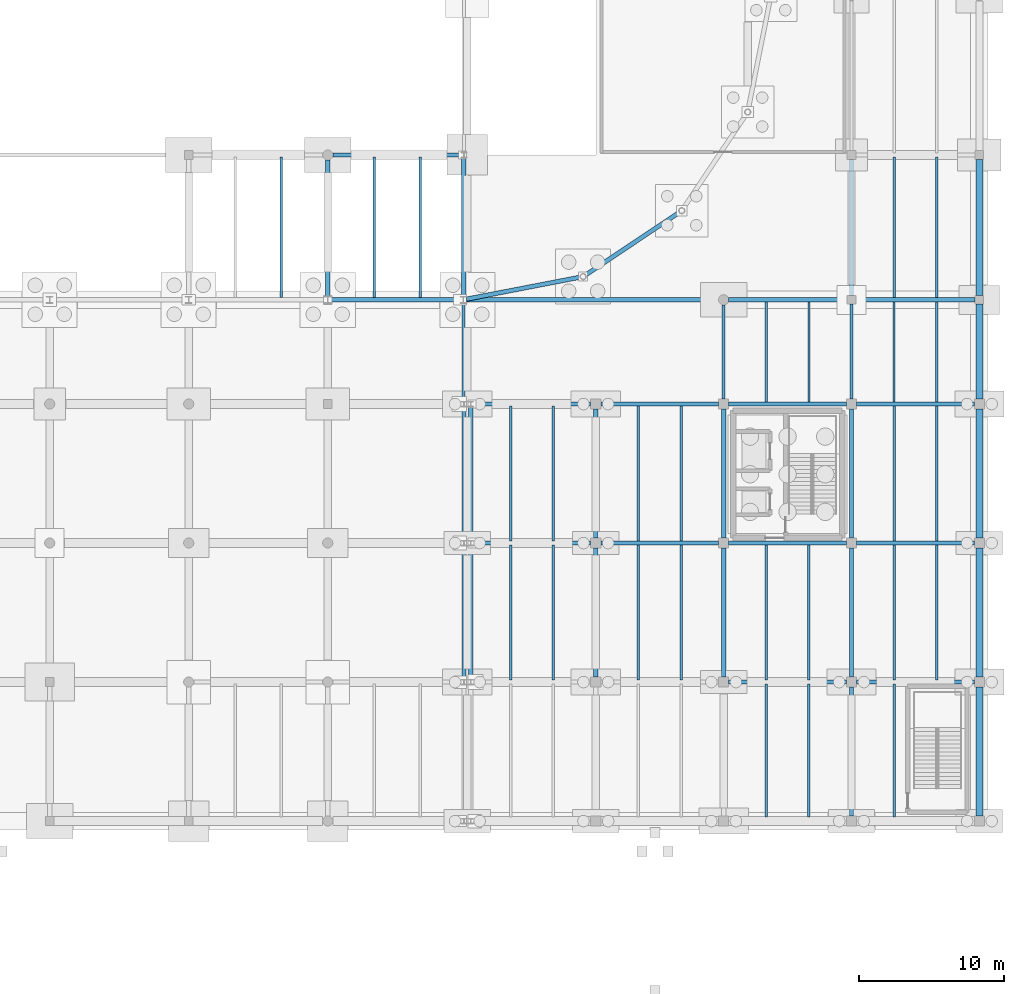
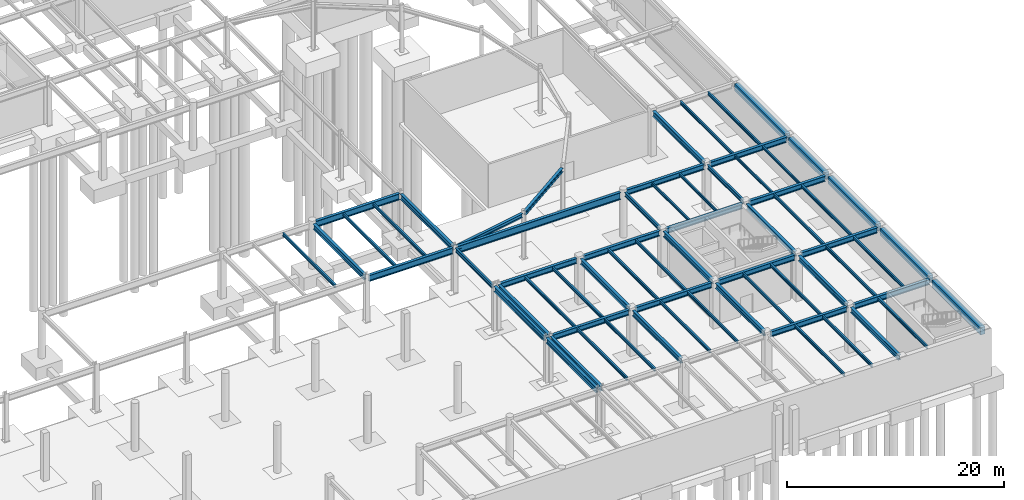
# One storey, part 35 of 50: 65 beams.
"""IFC4 building model written with IfcOpenShell, lengths in metres."""

from ifc_helpers import new_model, si_unit, direction, frame, origin, origin_2d, place, context, subcontext, project, spatial, rectangle, i_section, extrude, material, material_profile, profile_set, type_object, element, save


model = new_model("IFC4")

# Units and contexts
model_context = context("Model", 3, precision=1e-05, world=origin(), true_north=direction((0.0, 1.0)))
body_context = subcontext(model_context, "Body", "Model", "MODEL_VIEW")
ifc_project = project(units=[si_unit("LENGTHUNIT", "METRE"), si_unit("AREAUNIT", "SQUARE_METRE"), si_unit("VOLUMEUNIT", "CUBIC_METRE"), si_unit("PLANEANGLEUNIT", "RADIAN"), si_unit("MASSUNIT", "GRAM", prefix="KILO")], contexts=[model_context])

# Site, building, storey
site_placement = place(None, origin())
site = spatial("IfcSite", under=ifc_project, at=site_placement, CompositionType="ELEMENT")
building_placement = place(site_placement, origin())
building = spatial("IfcBuilding", under=site, at=building_placement, Name="Yeouljin Market Hall", CompositionType="ELEMENT")
storey_placement = place(building_placement, frame((0.0, 0.0, -5.39990234375)))
storey = spatial("IfcBuildingStorey", under=building, at=storey_placement, Name="B1", CompositionType="ELEMENT", Elevation=-5.39990234375)

# Beams
ifc_material_1 = material(Name="Steel SM355", Category="steel")
ifc_material_profile_1 = material_profile(ifc_material_1, i_section(OverallWidth=0.300048828125, OverallDepth=0.43994140625, WebThickness=0.010986328125, FlangeThickness=0.01806640625, FilletRadius=0.02001953125, at=origin_2d()), Name="H-440x300x11x18")
ifc_profile_set_1 = profile_set([ifc_material_profile_1], Name="Steel SM355")
beam_type_1 = type_object("IfcBeamType", Name="Beam_H-440x300x11x18", PredefinedType="BEAM", material=ifc_profile_set_1)
beam_1_placement = place(storey_placement, frame((140.98095703125, 36.042724609375, 4.8798828125), z_axis=(0.981853779067, 0.189639543691, 0.0), x_axis=(-0.189639543691, 0.981853779067, 0.0)))
element("IfcBeam", 1, at=beam_1_placement, inside=storey, type_object=beam_type_1, Name="Apse ring beam L00 276", PredefinedType="BEAM", context=body_context, shape_type="SweptSolid", body=[
    extrude(i_section(OverallWidth=0.300048828125, OverallDepth=0.43994140625, WebThickness=0.010986328125, FlangeThickness=0.01806640625, FilletRadius=0.02001953125, at=origin_2d()), origin(), (0.0, 0.0, 1.0), 8.001220703125),
])
beam_2_placement = place(storey_placement, frame((149.205322265625, 37.71142578125, 4.8798828125), z_axis=(0.831466218431, 0.555575312274, 0.0), x_axis=(-0.555575312274, 0.831466218431, 0.0)))
element("IfcBeam", 2, at=beam_2_placement, inside=storey, type_object=beam_type_1, Name="Apse ring beam L00 277", PredefinedType="BEAM", context=body_context, shape_type="SweptSolid", body=[
    extrude(i_section(OverallWidth=0.300048828125, OverallDepth=0.43994140625, WebThickness=0.010986328125, FlangeThickness=0.01806640625, FilletRadius=0.02001953125, at=origin_2d()), origin(), (0.0, 0.0, 1.0), 7.787353515625),
])
ifc_material_2 = material(Name="Steel SM355", Category="steel")
ifc_material_profile_2 = material_profile(ifc_material_2, i_section(OverallWidth=0.199951171875, OverallDepth=0.449951171875, WebThickness=0.009033203125, FlangeThickness=0.013916015625, FilletRadius=0.01806640625, at=origin_2d()), Name="H-450x200x9x14")
ifc_profile_set_2 = profile_set([ifc_material_profile_2], Name="Steel SM355")
beam_type_2 = type_object("IfcBeamType", Name="Beam_H-450x200x9x14", PredefinedType="BEAM", material=ifc_profile_set_2)
beam_3_placement = place(storey_placement, frame((140.784912109375, 28.97509765625, 4.875), z_axis=(0.0, 1.0, 0.0), x_axis=(-1.0, 0.0, 0.0)))
element("IfcBeam", 3, at=beam_3_placement, inside=storey, type_object=beam_type_2, Name="Primary beam BM-L00-Y233", PredefinedType="BEAM", context=body_context, shape_type="SweptSolid", body=[
    extrude(i_section(OverallWidth=0.199951171875, OverallDepth=0.449951171875, WebThickness=0.009033203125, FlangeThickness=0.013916015625, FilletRadius=0.01806640625, at=origin_2d()), origin(), (0.0, 0.0, 1.0), 6.7998046875),
])
beam_4_placement = place(storey_placement, frame((158.739990234375, 29.14990234375, 4.9248046875), z_axis=(0.0, 1.0, 0.0), x_axis=(-1.0, 0.0, 0.0)))
element("IfcBeam", 4, at=beam_4_placement, inside=storey, type_object=beam_type_2, Name="Primary beam BM-L00-Y248", PredefinedType="BEAM", context=body_context, shape_type="SweptSolid", body=[
    extrude(i_section(OverallWidth=0.199951171875, OverallDepth=0.449951171875, WebThickness=0.009033203125, FlangeThickness=0.013916015625, FilletRadius=0.01806640625, at=origin_2d()), origin(), (0.0, 0.0, 1.0), 6.5),
])
beam_5_placement = place(storey_placement, frame((167.570068359375, 29.14990234375, 4.914794921875), z_axis=(0.0, 1.0, 0.0), x_axis=(-1.0, 0.0, 0.0)))
element("IfcBeam", 5, at=beam_5_placement, inside=storey, type_object=beam_type_2, Name="Primary beam BM-L00-Y253", PredefinedType="BEAM", context=body_context, shape_type="SweptSolid", body=[
    extrude(i_section(OverallWidth=0.199951171875, OverallDepth=0.449951171875, WebThickness=0.009033203125, FlangeThickness=0.013916015625, FilletRadius=0.01806640625, at=origin_2d()), origin(), (0.0, 0.0, 1.0), 6.550048828125),
])
ifc_material_3 = material(Name="Concrete C30/37", Category="concrete")
ifc_material_profile_3 = material_profile(ifc_material_3, rectangle(XDim=0.5, YDim=0.800048828125, at=origin_2d()), Name="RC-500x800")
ifc_profile_set_3 = profile_set([ifc_material_profile_3], Name="Concrete C30/37")
beam_type_3 = type_object("IfcBeamType", Name="Beam_RC-500x800", PredefinedType="BEAM", material=ifc_profile_set_3)
beam_6_placement = place(storey_placement, frame((176.39990234375, 0.35009765625, 4.75), z_axis=(0.0, 1.0, 0.0), x_axis=(-1.0, 0.0, 0.0)))
element("IfcBeam", 6, at=beam_6_placement, inside=storey, type_object=beam_type_3, Name="Primary beam BM-L00-Y259", PredefinedType="BEAM", context=body_context, shape_type="SweptSolid", body=[
    extrude(rectangle(XDim=0.5, YDim=0.800048828125, at=origin_2d()), origin(), (0.0, 0.0, 1.0), 8.89990234375),
])
beam_7_placement = place(storey_placement, frame((176.39990234375, 9.949951171875, 4.75), z_axis=(0.0, 1.0, 0.0), x_axis=(-1.0, 0.0, 0.0)))
element("IfcBeam", 7, at=beam_7_placement, inside=storey, type_object=beam_type_3, Name="Primary beam BM-L00-Y260", PredefinedType="BEAM", context=body_context, shape_type="SweptSolid", body=[
    extrude(rectangle(XDim=0.5, YDim=0.800048828125, at=origin_2d()), origin(), (0.0, 0.0, 1.0), 8.900146484375),
])
beam_8_placement = place(storey_placement, frame((176.39990234375, 19.550048828125, 4.75), z_axis=(0.0, 1.0, 0.0), x_axis=(-1.0, 0.0, 0.0)))
element("IfcBeam", 8, at=beam_8_placement, inside=storey, type_object=beam_type_3, Name="Primary beam BM-L00-Y261", PredefinedType="BEAM", context=body_context, shape_type="SweptSolid", body=[
    extrude(rectangle(XDim=0.5, YDim=0.800048828125, at=origin_2d()), origin(), (0.0, 0.0, 1.0), 8.89990234375),
])
beam_9_placement = place(storey_placement, frame((176.39990234375, 29.14990234375, 4.739990234375), z_axis=(0.0, 1.0, 0.0), x_axis=(-1.0, 0.0, 0.0)))
element("IfcBeam", 9, at=beam_9_placement, inside=storey, type_object=beam_type_3, Name="Primary beam BM-L00-Y262", PredefinedType="BEAM", context=body_context, shape_type="SweptSolid", body=[
    extrude(rectangle(XDim=0.5, YDim=0.800048828125, at=origin_2d()), origin(), (0.0, 0.0, 1.0), 6.550048828125),
])
beam_10_placement = place(storey_placement, frame((176.39990234375, 36.300048828125, 4.75), z_axis=(0.0, 1.0, 0.0), x_axis=(-1.0, 0.0, 0.0)))
element("IfcBeam", 10, at=beam_10_placement, inside=storey, type_object=beam_type_3, Name="Primary beam BM-L00-Y263", PredefinedType="BEAM", context=body_context, shape_type="SweptSolid", body=[
    extrude(rectangle(XDim=0.5, YDim=0.800048828125, at=origin_2d()), origin(), (0.0, 0.0, 1.0), 9.39990234375),
])
ifc_material_4 = material(Name="Steel SM355", Category="steel")
ifc_material_profile_4 = material_profile(ifc_material_4, i_section(OverallWidth=0.300048828125, OverallDepth=0.587890625, WebThickness=0.011962890625, FlangeThickness=0.02001953125, FilletRadius=0.02392578125, at=origin_2d()), Name="H-588x300x12x20")
ifc_profile_set_4 = profile_set([ifc_material_profile_4], Name="Steel SM355")
beam_type_4 = type_object("IfcBeamType", Name="Girder_H-588x300x12x20", PredefinedType="USERDEFINED", material=ifc_profile_set_4)
beam_11_placement = place(storey_placement, frame((159.090087890625, 9.60009765625, 4.85595703125), z_axis=(1.0, 0.0, 0.0), x_axis=(0.0, 1.0, 0.0)))
element("IfcBeam", 11, at=beam_11_placement, inside=storey, type_object=beam_type_4, Name="Primary girder GRD-L00-X025", ObjectType="GIRDER", PredefinedType="USERDEFINED", context=body_context, shape_type="SweptSolid", body=[
    extrude(i_section(OverallWidth=0.300048828125, OverallDepth=0.587890625, WebThickness=0.011962890625, FlangeThickness=0.02001953125, FilletRadius=0.02392578125, at=origin_2d()), origin(), (0.0, 0.0, 1.0), 8.1298828125),
])
beam_12_placement = place(storey_placement, frame((167.919921875, 9.60009765625, 4.85595703125), z_axis=(1.0, 0.0, 0.0), x_axis=(0.0, 1.0, 0.0)))
element("IfcBeam", 12, at=beam_12_placement, inside=storey, type_object=beam_type_4, Name="Primary girder GRD-L00-X026", ObjectType="GIRDER", PredefinedType="USERDEFINED", context=body_context, shape_type="SweptSolid", body=[
    extrude(i_section(OverallWidth=0.300048828125, OverallDepth=0.587890625, WebThickness=0.011962890625, FlangeThickness=0.02001953125, FilletRadius=0.02392578125, at=origin_2d()), origin(), (0.0, 0.0, 1.0), 8.130126953125),
])
beam_13_placement = place(storey_placement, frame((141.445068359375, 19.199951171875, 4.85595703125), z_axis=(1.0, 0.0, 0.0), x_axis=(0.0, 1.0, 0.0)))
element("IfcBeam", 13, at=beam_13_placement, inside=storey, type_object=beam_type_4, Name="Primary girder GRD-L00-X031", ObjectType="GIRDER", PredefinedType="USERDEFINED", context=body_context, shape_type="SweptSolid", body=[
    extrude(i_section(OverallWidth=0.300048828125, OverallDepth=0.587890625, WebThickness=0.011962890625, FlangeThickness=0.02001953125, FilletRadius=0.02392578125, at=origin_2d()), origin(), (0.0, 0.0, 1.0), 8.114990234375),
])
for number, where, z_axis, x_axis, name in (
    (14, (150.260009765625, 19.199951171875, 4.85595703125), (1.0, 0.0, 0.0), (0.0, 1.0, 0.0), "Primary girder GRD-L00-X032"),
    (15, (159.090087890625, 19.199951171875, 4.85595703125), (1.0, 0.0, 0.0), (0.0, 1.0, 0.0), "Primary girder GRD-L00-X033"),
):
    element("IfcBeam", number, at=place(storey_placement, frame(where, z_axis=z_axis, x_axis=x_axis)), inside=storey, type_object=beam_type_4, Name=name, ObjectType="GIRDER", PredefinedType="USERDEFINED", context=body_context, shape_type="SweptSolid", body=[
        extrude(i_section(OverallWidth=0.300048828125, OverallDepth=0.587890625, WebThickness=0.011962890625, FlangeThickness=0.02001953125, FilletRadius=0.02392578125, at=origin_2d()), origin(), (0.0, 0.0, 1.0), 8.1298828125),
    ])
beam_14_placement = place(storey_placement, frame((167.919921875, 19.199951171875, 4.85595703125), z_axis=(1.0, 0.0, 0.0), x_axis=(0.0, 1.0, 0.0)))
element("IfcBeam", 16, at=beam_14_placement, inside=storey, type_object=beam_type_4, Name="Primary girder GRD-L00-X034", ObjectType="GIRDER", PredefinedType="USERDEFINED", context=body_context, shape_type="SweptSolid", body=[
    extrude(i_section(OverallWidth=0.300048828125, OverallDepth=0.587890625, WebThickness=0.011962890625, FlangeThickness=0.02001953125, FilletRadius=0.02392578125, at=origin_2d()), origin(), (0.0, 0.0, 1.0), 8.130126953125),
])
beam_15_placement = place(storey_placement, frame((141.445068359375, 28.800048828125, 4.85595703125), z_axis=(1.0, 0.0, 0.0), x_axis=(0.0, 1.0, 0.0)))
element("IfcBeam", 17, at=beam_15_placement, inside=storey, type_object=beam_type_4, Name="Primary girder GRD-L00-X039", ObjectType="GIRDER", PredefinedType="USERDEFINED", context=body_context, shape_type="SweptSolid", body=[
    extrude(i_section(OverallWidth=0.300048828125, OverallDepth=0.587890625, WebThickness=0.011962890625, FlangeThickness=0.02001953125, FilletRadius=0.02392578125, at=origin_2d()), origin(), (0.0, 0.0, 1.0), 8.114990234375),
])
for number, where, z_axis, x_axis, name in (
    (18, (150.260009765625, 28.800048828125, 4.85595703125), (1.0, 0.0, 0.0), (0.0, 1.0, 0.0), "Primary girder GRD-L00-X040"),
    (19, (159.090087890625, 28.800048828125, 4.845947265625), (1.0, 0.0, 0.0), (0.0, 1.0, 0.0), "Primary girder GRD-L00-X041"),
):
    element("IfcBeam", number, at=place(storey_placement, frame(where, z_axis=z_axis, x_axis=x_axis)), inside=storey, type_object=beam_type_4, Name=name, ObjectType="GIRDER", PredefinedType="USERDEFINED", context=body_context, shape_type="SweptSolid", body=[
        extrude(i_section(OverallWidth=0.300048828125, OverallDepth=0.587890625, WebThickness=0.011962890625, FlangeThickness=0.02001953125, FilletRadius=0.02392578125, at=origin_2d()), origin(), (0.0, 0.0, 1.0), 8.1298828125),
    ])
beam_16_placement = place(storey_placement, frame((167.919921875, 28.800048828125, 4.845947265625), z_axis=(1.0, 0.0, 0.0), x_axis=(0.0, 1.0, 0.0)))
element("IfcBeam", 20, at=beam_16_placement, inside=storey, type_object=beam_type_4, Name="Primary girder GRD-L00-X042", ObjectType="GIRDER", PredefinedType="USERDEFINED", context=body_context, shape_type="SweptSolid", body=[
    extrude(i_section(OverallWidth=0.300048828125, OverallDepth=0.587890625, WebThickness=0.011962890625, FlangeThickness=0.02001953125, FilletRadius=0.02392578125, at=origin_2d()), origin(), (0.0, 0.0, 1.0), 8.130126953125),
])
beam_17_placement = place(storey_placement, frame((159.090087890625, 36.0, 4.845947265625), z_axis=(1.0, 0.0, 0.0), x_axis=(0.0, 1.0, 0.0)))
element("IfcBeam", 21, at=beam_17_placement, inside=storey, type_object=beam_type_4, Name="Primary girder GRD-L00-X058", ObjectType="GIRDER", PredefinedType="USERDEFINED", context=body_context, shape_type="SweptSolid", body=[
    extrude(i_section(OverallWidth=0.300048828125, OverallDepth=0.587890625, WebThickness=0.011962890625, FlangeThickness=0.02001953125, FilletRadius=0.02392578125, at=origin_2d()), origin(), (0.0, 0.0, 1.0), 8.179931640625),
])
beam_18_placement = place(storey_placement, frame((167.8701171875, 36.0, 4.845947265625), z_axis=(1.0, 0.0, 0.0), x_axis=(0.0, 1.0, 0.0)))
element("IfcBeam", 22, at=beam_18_placement, inside=storey, type_object=beam_type_4, Name="Primary girder GRD-L00-X059", ObjectType="GIRDER", PredefinedType="USERDEFINED", context=body_context, shape_type="SweptSolid", body=[
    extrude(i_section(OverallWidth=0.300048828125, OverallDepth=0.587890625, WebThickness=0.011962890625, FlangeThickness=0.02001953125, FilletRadius=0.02392578125, at=origin_2d()), origin(), (0.0, 0.0, 1.0), 8.22998046875),
])
beam_19_placement = place(storey_placement, frame((131.39990234375, 36.22509765625, 4.825927734375), z_axis=(0.0, 1.0, 0.0), x_axis=(-1.0, 0.0, 0.0)))
element("IfcBeam", 23, at=beam_19_placement, inside=storey, type_object=beam_type_4, Name="Primary beam BM-L00-Y224", ObjectType="GIRDER", PredefinedType="USERDEFINED", context=body_context, shape_type="SweptSolid", body=[
    extrude(i_section(OverallWidth=0.300048828125, OverallDepth=0.587890625, WebThickness=0.011962890625, FlangeThickness=0.02001953125, FilletRadius=0.02392578125, at=origin_2d()), origin(), (0.0, 0.0, 1.0), 9.4248046875),
])
for number, where, z_axis, x_axis, name in (
    (24, (140.81005859375, 9.77490234375, 4.85595703125), (0.0, 1.0, 0.0), (-1.0, 0.0, 0.0), "Primary beam BM-L00-Y231"),
    (25, (140.81005859375, 19.375, 4.85595703125), (0.0, 1.0, 0.0), (-1.0, 0.0, 0.0), "Primary beam BM-L00-Y232"),
):
    element("IfcBeam", number, at=place(storey_placement, frame(where, z_axis=z_axis, x_axis=x_axis)), inside=storey, type_object=beam_type_4, Name=name, ObjectType="GIRDER", PredefinedType="USERDEFINED", context=body_context, shape_type="SweptSolid", body=[
        extrude(i_section(OverallWidth=0.300048828125, OverallDepth=0.587890625, WebThickness=0.011962890625, FlangeThickness=0.02001953125, FilletRadius=0.02392578125, at=origin_2d()), origin(), (0.0, 0.0, 1.0), 9.25),
    ])
beam_20_placement = place(storey_placement, frame((140.784912109375, 36.22509765625, 4.805908203125), z_axis=(0.0, 1.0, 0.0), x_axis=(-1.0, 0.0, 0.0)))
element("IfcBeam", 26, at=beam_20_placement, inside=storey, type_object=beam_type_4, Name="Primary beam BM-L00-Y234", ObjectType="GIRDER", PredefinedType="USERDEFINED", context=body_context, shape_type="SweptSolid", body=[
    extrude(i_section(OverallWidth=0.300048828125, OverallDepth=0.587890625, WebThickness=0.011962890625, FlangeThickness=0.02001953125, FilletRadius=0.02392578125, at=origin_2d()), origin(), (0.0, 0.0, 1.0), 9.599853515625),
])
for number, where, z_axis, x_axis, name in (
    (27, (141.27001953125, 9.77490234375, 4.85595703125), (0.0, 1.0, 0.0), (-1.0, 0.0, 0.0), "Primary beam BM-L00-Y240"),
    (28, (141.27001953125, 19.375, 4.85595703125), (0.0, 1.0, 0.0), (-1.0, 0.0, 0.0), "Primary beam BM-L00-Y241"),
):
    element("IfcBeam", number, at=place(storey_placement, frame(where, z_axis=z_axis, x_axis=x_axis)), inside=storey, type_object=beam_type_4, Name=name, ObjectType="GIRDER", PredefinedType="USERDEFINED", context=body_context, shape_type="SweptSolid", body=[
        extrude(i_section(OverallWidth=0.300048828125, OverallDepth=0.587890625, WebThickness=0.011962890625, FlangeThickness=0.02001953125, FilletRadius=0.02392578125, at=origin_2d()), origin(), (0.0, 0.0, 1.0), 9.25),
    ])
beam_21_placement = place(storey_placement, frame((149.909912109375, 9.949951171875, 4.85595703125), z_axis=(0.0, 1.0, 0.0), x_axis=(-1.0, 0.0, 0.0)))
element("IfcBeam", 29, at=beam_21_placement, inside=storey, type_object=beam_type_4, Name="Primary beam BM-L00-Y243", ObjectType="GIRDER", PredefinedType="USERDEFINED", context=body_context, shape_type="SweptSolid", body=[
    extrude(i_section(OverallWidth=0.300048828125, OverallDepth=0.587890625, WebThickness=0.011962890625, FlangeThickness=0.02001953125, FilletRadius=0.02392578125, at=origin_2d()), origin(), (0.0, 0.0, 1.0), 8.900146484375),
])
beam_22_placement = place(storey_placement, frame((149.909912109375, 19.550048828125, 4.85595703125), z_axis=(0.0, 1.0, 0.0), x_axis=(-1.0, 0.0, 0.0)))
element("IfcBeam", 30, at=beam_22_placement, inside=storey, type_object=beam_type_4, Name="Primary beam BM-L00-Y244", ObjectType="GIRDER", PredefinedType="USERDEFINED", context=body_context, shape_type="SweptSolid", body=[
    extrude(i_section(OverallWidth=0.300048828125, OverallDepth=0.587890625, WebThickness=0.011962890625, FlangeThickness=0.02001953125, FilletRadius=0.02392578125, at=origin_2d()), origin(), (0.0, 0.0, 1.0), 8.89990234375),
])
beam_23_placement = place(storey_placement, frame((158.739990234375, 9.949951171875, 4.85595703125), z_axis=(0.0, 1.0, 0.0), x_axis=(-1.0, 0.0, 0.0)))
element("IfcBeam", 31, at=beam_23_placement, inside=storey, type_object=beam_type_4, Name="Primary beam BM-L00-Y246", ObjectType="GIRDER", PredefinedType="USERDEFINED", context=body_context, shape_type="SweptSolid", body=[
    extrude(i_section(OverallWidth=0.300048828125, OverallDepth=0.587890625, WebThickness=0.011962890625, FlangeThickness=0.02001953125, FilletRadius=0.02392578125, at=origin_2d()), origin(), (0.0, 0.0, 1.0), 8.900146484375),
])
for number, where, z_axis, x_axis, name in (
    (32, (158.739990234375, 19.550048828125, 4.85595703125), (0.0, 1.0, 0.0), (-1.0, 0.0, 0.0), "Primary beam BM-L00-Y247"),
    (33, (167.570068359375, 0.35009765625, 4.85595703125), (0.0, 1.0, 0.0), (-1.0, 0.0, 0.0), "Primary beam BM-L00-Y250"),
):
    element("IfcBeam", number, at=place(storey_placement, frame(where, z_axis=z_axis, x_axis=x_axis)), inside=storey, type_object=beam_type_4, Name=name, ObjectType="GIRDER", PredefinedType="USERDEFINED", context=body_context, shape_type="SweptSolid", body=[
        extrude(i_section(OverallWidth=0.300048828125, OverallDepth=0.587890625, WebThickness=0.011962890625, FlangeThickness=0.02001953125, FilletRadius=0.02392578125, at=origin_2d()), origin(), (0.0, 0.0, 1.0), 8.89990234375),
    ])
beam_24_placement = place(storey_placement, frame((167.570068359375, 9.949951171875, 4.85595703125), z_axis=(0.0, 1.0, 0.0), x_axis=(-1.0, 0.0, 0.0)))
element("IfcBeam", 34, at=beam_24_placement, inside=storey, type_object=beam_type_4, Name="Primary beam BM-L00-Y251", ObjectType="GIRDER", PredefinedType="USERDEFINED", context=body_context, shape_type="SweptSolid", body=[
    extrude(i_section(OverallWidth=0.300048828125, OverallDepth=0.587890625, WebThickness=0.011962890625, FlangeThickness=0.02001953125, FilletRadius=0.02392578125, at=origin_2d()), origin(), (0.0, 0.0, 1.0), 8.900146484375),
])
beam_25_placement = place(storey_placement, frame((167.570068359375, 19.550048828125, 4.85595703125), z_axis=(0.0, 1.0, 0.0), x_axis=(-1.0, 0.0, 0.0)))
element("IfcBeam", 35, at=beam_25_placement, inside=storey, type_object=beam_type_4, Name="Primary beam BM-L00-Y252", ObjectType="GIRDER", PredefinedType="USERDEFINED", context=body_context, shape_type="SweptSolid", body=[
    extrude(i_section(OverallWidth=0.300048828125, OverallDepth=0.587890625, WebThickness=0.011962890625, FlangeThickness=0.02001953125, FilletRadius=0.02392578125, at=origin_2d()), origin(), (0.0, 0.0, 1.0), 8.89990234375),
])
beam_26_placement = place(storey_placement, frame((167.570068359375, 36.300048828125, 4.85595703125), z_axis=(0.0, 1.0, 0.0), x_axis=(-1.0, 0.0, 0.0)))
element("IfcBeam", 36, at=beam_26_placement, inside=storey, type_object=beam_type_4, Name="Primary beam BM-L00-Y254", ObjectType="GIRDER", PredefinedType="USERDEFINED", context=body_context, shape_type="SweptSolid", body=[
    extrude(i_section(OverallWidth=0.300048828125, OverallDepth=0.587890625, WebThickness=0.011962890625, FlangeThickness=0.02001953125, FilletRadius=0.02392578125, at=origin_2d()), origin(), (0.0, 0.0, 1.0), 9.39990234375),
])
ifc_material_5 = material(Name="Steel SM355", Category="steel")
ifc_material_profile_5 = material_profile(ifc_material_5, i_section(OverallWidth=0.300048828125, OverallDepth=0.699951171875, WebThickness=0.012939453125, FlangeThickness=0.02392578125, FilletRadius=0.02587890625, at=origin_2d()), Name="H-700x300x13x24")
ifc_profile_set_5 = profile_set([ifc_material_profile_5], Name="Steel SM355")
beam_type_5 = type_object("IfcBeamType", Name="Girder_H-700x300x13x24", PredefinedType="USERDEFINED", material=ifc_profile_set_5)
beam_27_placement = place(storey_placement, frame((131.625, 36.0, 4.77001953125), z_axis=(1.0, 0.0, 0.0), x_axis=(0.0, 1.0, 0.0)))
element("IfcBeam", 37, at=beam_27_placement, inside=storey, type_object=beam_type_5, Name="Primary girder GRD-L00-X056", ObjectType="GIRDER", PredefinedType="USERDEFINED", context=body_context, shape_type="SweptSolid", body=[
    extrude(i_section(OverallWidth=0.300048828125, OverallDepth=0.699951171875, WebThickness=0.012939453125, FlangeThickness=0.02392578125, FilletRadius=0.02587890625, at=origin_2d()), origin(), (0.0, 0.0, 1.0), 8.909912109375),
])
beam_28_placement = place(storey_placement, frame((131.75, 46.0, 4.77001953125), z_axis=(1.0, 0.0, 0.0), x_axis=(0.0, 1.0, 0.0)))
element("IfcBeam", 38, at=beam_28_placement, inside=storey, type_object=beam_type_5, Name="Primary girder GRD-L00-X065", ObjectType="GIRDER", PredefinedType="USERDEFINED", context=body_context, shape_type="SweptSolid", body=[
    extrude(i_section(OverallWidth=0.300048828125, OverallDepth=0.699951171875, WebThickness=0.012939453125, FlangeThickness=0.02392578125, FilletRadius=0.02587890625, at=origin_2d()), origin(), (0.0, 0.0, 1.0), 8.885009765625),
])
ifc_material_6 = material(Name="Steel SM355", Category="steel")
ifc_material_profile_6 = material_profile(ifc_material_6, i_section(OverallWidth=0.300048828125, OverallDepth=0.800048828125, WebThickness=0.013916015625, FlangeThickness=0.02587890625, FilletRadius=0.028076171875, at=origin_2d()), Name="H-800x300x14x26")
ifc_profile_set_6 = profile_set([ifc_material_profile_6], Name="Steel SM355")
beam_type_6 = type_object("IfcBeamType", Name="Girder_H-800x300x14x26", PredefinedType="USERDEFINED", material=ifc_profile_set_6)
beam_29_placement = place(storey_placement, frame((140.985107421875, 36.0, 4.699951171875), z_axis=(1.0, 0.0, 0.0), x_axis=(0.0, 1.0, 0.0)))
element("IfcBeam", 39, at=beam_29_placement, inside=storey, type_object=beam_type_6, Name="Primary girder GRD-L00-X057", ObjectType="GIRDER", PredefinedType="USERDEFINED", context=body_context, shape_type="SweptSolid", body=[
    extrude(i_section(OverallWidth=0.300048828125, OverallDepth=0.800048828125, WebThickness=0.013916015625, FlangeThickness=0.02587890625, FilletRadius=0.028076171875, at=origin_2d()), origin(), (0.0, 0.0, 1.0), 17.40478515625),
])
ifc_material_7 = material(Name="Steel SM355", Category="steel")
ifc_material_profile_7 = material_profile(ifc_material_7, i_section(OverallWidth=0.14990234375, OverallDepth=0.300048828125, WebThickness=0.006591796875, FlangeThickness=0.009033203125, FilletRadius=0.012939453125, at=origin_2d()), Name="H-300x150x6.5x9")
ifc_profile_set_7 = profile_set([ifc_material_profile_7], Name="Steel SM355")
beam_type_7 = type_object("IfcBeamType", Name="Joist_H-300x150x6.5x9", PredefinedType="JOIST", material=ifc_profile_set_7)
for number, where, z_axis, x_axis, name in (
    (40, (161.683349609375, 28.947021484375, 4.989990234375), (0.0, 1.0, 0.0), (-1.0, 0.0, 0.0), "Secondary floor joist L00-135"),
    (41, (164.626708984375, 28.947021484375, 4.989990234375), (0.0, 1.0, 0.0), (-1.0, 0.0, 0.0), "Secondary floor joist L00-136"),
    (42, (170.51318359375, 28.947021484375, 4.989990234375), (0.0, 1.0, 0.0), (-1.0, 0.0, 0.0), "Secondary floor joist L00-144"),
    (43, (173.456787109375, 28.947021484375, 4.989990234375), (0.0, 1.0, 0.0), (-1.0, 0.0, 0.0), "Secondary floor joist L00-145"),
):
    element("IfcBeam", number, at=place(storey_placement, frame(where, z_axis=z_axis, x_axis=x_axis)), inside=storey, type_object=beam_type_7, Name=name, PredefinedType="JOIST", context=body_context, shape_type="SweptSolid", body=[
        extrude(i_section(OverallWidth=0.14990234375, OverallDepth=0.300048828125, WebThickness=0.006591796875, FlangeThickness=0.009033203125, FilletRadius=0.012939453125, at=origin_2d()), origin(), (0.0, 0.0, 1.0), 6.906005859375),
    ])
ifc_material_8 = material(Name="Steel SM355", Category="steel")
ifc_material_profile_8 = material_profile(ifc_material_8, i_section(OverallWidth=0.175048828125, OverallDepth=0.35009765625, WebThickness=0.007080078125, FlangeThickness=0.010986328125, FilletRadius=0.013916015625, at=origin_2d()), Name="H-350x175x7x11")
ifc_profile_set_8 = profile_set([ifc_material_profile_8], Name="Steel SM355")
beam_type_8 = type_object("IfcBeamType", Name="Joist_H-350x175x7x11", PredefinedType="JOIST", material=ifc_profile_set_8)
for number, where, z_axis, x_axis, name in (
    (44, (128.199951171875, 36.14697265625, 4.94482421875), (0.0, 1.0, 0.0), (-1.0, 0.0, 0.0), "Secondary floor joist L00-102"),
    (45, (134.60009765625, 36.14697265625, 4.94482421875), (0.0, 1.0, 0.0), (-1.0, 0.0, 0.0), "Secondary floor joist L00-115"),
    (46, (137.800048828125, 36.14697265625, 4.94482421875), (0.0, 1.0, 0.0), (-1.0, 0.0, 0.0), "Secondary floor joist L00-116"),
):
    element("IfcBeam", number, at=place(storey_placement, frame(where, z_axis=z_axis, x_axis=x_axis)), inside=storey, type_object=beam_type_8, Name=name, PredefinedType="JOIST", context=body_context, shape_type="SweptSolid", body=[
        extrude(i_section(OverallWidth=0.175048828125, OverallDepth=0.35009765625, WebThickness=0.007080078125, FlangeThickness=0.010986328125, FilletRadius=0.013916015625, at=origin_2d()), origin(), (0.0, 0.0, 1.0), 9.7060546875),
    ])
for number, where, z_axis, x_axis, name in (
    (47, (144.023193359375, 9.7470703125, 4.974853515625), (0.0, 1.0, 0.0), (-1.0, 0.0, 0.0), "Secondary floor joist L00-121"),
    (48, (146.966796875, 9.7470703125, 4.974853515625), (0.0, 1.0, 0.0), (-1.0, 0.0, 0.0), "Secondary floor joist L00-122"),
):
    element("IfcBeam", number, at=place(storey_placement, frame(where, z_axis=z_axis, x_axis=x_axis)), inside=storey, type_object=beam_type_8, Name=name, PredefinedType="JOIST", context=body_context, shape_type="SweptSolid", body=[
        extrude(i_section(OverallWidth=0.175048828125, OverallDepth=0.35009765625, WebThickness=0.007080078125, FlangeThickness=0.010986328125, FilletRadius=0.013916015625, at=origin_2d()), origin(), (0.0, 0.0, 1.0), 9.305908203125),
    ])
for number, where, z_axis, x_axis, name in (
    (49, (144.023193359375, 19.346923828125, 4.974853515625), (0.0, 1.0, 0.0), (-1.0, 0.0, 0.0), "Secondary floor joist L00-123"),
    (50, (146.966796875, 19.346923828125, 4.974853515625), (0.0, 1.0, 0.0), (-1.0, 0.0, 0.0), "Secondary floor joist L00-124"),
):
    element("IfcBeam", number, at=place(storey_placement, frame(where, z_axis=z_axis, x_axis=x_axis)), inside=storey, type_object=beam_type_8, Name=name, PredefinedType="JOIST", context=body_context, shape_type="SweptSolid", body=[
        extrude(i_section(OverallWidth=0.175048828125, OverallDepth=0.35009765625, WebThickness=0.007080078125, FlangeThickness=0.010986328125, FilletRadius=0.013916015625, at=origin_2d()), origin(), (0.0, 0.0, 1.0), 9.30615234375),
    ])
for number, where, z_axis, x_axis, name in (
    (51, (152.853271484375, 9.7470703125, 4.974853515625), (0.0, 1.0, 0.0), (-1.0, 0.0, 0.0), "Secondary floor joist L00-127"),
    (52, (155.796630859375, 9.7470703125, 4.974853515625), (0.0, 1.0, 0.0), (-1.0, 0.0, 0.0), "Secondary floor joist L00-128"),
):
    element("IfcBeam", number, at=place(storey_placement, frame(where, z_axis=z_axis, x_axis=x_axis)), inside=storey, type_object=beam_type_8, Name=name, PredefinedType="JOIST", context=body_context, shape_type="SweptSolid", body=[
        extrude(i_section(OverallWidth=0.175048828125, OverallDepth=0.35009765625, WebThickness=0.007080078125, FlangeThickness=0.010986328125, FilletRadius=0.013916015625, at=origin_2d()), origin(), (0.0, 0.0, 1.0), 9.305908203125),
    ])
for number, where, z_axis, x_axis, name in (
    (53, (152.853271484375, 19.346923828125, 4.974853515625), (0.0, 1.0, 0.0), (-1.0, 0.0, 0.0), "Secondary floor joist L00-129"),
    (54, (155.796630859375, 19.346923828125, 4.974853515625), (0.0, 1.0, 0.0), (-1.0, 0.0, 0.0), "Secondary floor joist L00-130"),
):
    element("IfcBeam", number, at=place(storey_placement, frame(where, z_axis=z_axis, x_axis=x_axis)), inside=storey, type_object=beam_type_8, Name=name, PredefinedType="JOIST", context=body_context, shape_type="SweptSolid", body=[
        extrude(i_section(OverallWidth=0.175048828125, OverallDepth=0.35009765625, WebThickness=0.007080078125, FlangeThickness=0.010986328125, FilletRadius=0.013916015625, at=origin_2d()), origin(), (0.0, 0.0, 1.0), 9.30615234375),
    ])
for number, where, z_axis, x_axis, name in (
    (55, (161.683349609375, 0.297119140625, 4.974853515625), (0.0, 1.0, 0.0), (-1.0, 0.0, 0.0), "Secondary floor joist L00-131"),
    (56, (164.626708984375, 0.297119140625, 4.974853515625), (0.0, 1.0, 0.0), (-1.0, 0.0, 0.0), "Secondary floor joist L00-132"),
):
    element("IfcBeam", number, at=place(storey_placement, frame(where, z_axis=z_axis, x_axis=x_axis)), inside=storey, type_object=beam_type_8, Name=name, PredefinedType="JOIST", context=body_context, shape_type="SweptSolid", body=[
        extrude(i_section(OverallWidth=0.175048828125, OverallDepth=0.35009765625, WebThickness=0.007080078125, FlangeThickness=0.010986328125, FilletRadius=0.013916015625, at=origin_2d()), origin(), (0.0, 0.0, 1.0), 9.15576171875),
    ])
for number, where, z_axis, x_axis, name in (
    (57, (161.683349609375, 9.7470703125, 4.974853515625), (0.0, 1.0, 0.0), (-1.0, 0.0, 0.0), "Secondary floor joist L00-133"),
    (58, (164.626708984375, 9.7470703125, 4.974853515625), (0.0, 1.0, 0.0), (-1.0, 0.0, 0.0), "Secondary floor joist L00-134"),
):
    element("IfcBeam", number, at=place(storey_placement, frame(where, z_axis=z_axis, x_axis=x_axis)), inside=storey, type_object=beam_type_8, Name=name, PredefinedType="JOIST", context=body_context, shape_type="SweptSolid", body=[
        extrude(i_section(OverallWidth=0.175048828125, OverallDepth=0.35009765625, WebThickness=0.007080078125, FlangeThickness=0.010986328125, FilletRadius=0.013916015625, at=origin_2d()), origin(), (0.0, 0.0, 1.0), 9.305908203125),
    ])
beam_30_placement = place(storey_placement, frame((170.51318359375, 0.297119140625, 4.974853515625), z_axis=(0.0, 1.0, 0.0), x_axis=(-1.0, 0.0, 0.0)))
element("IfcBeam", 59, at=beam_30_placement, inside=storey, type_object=beam_type_8, Name="Secondary floor joist L00-139", PredefinedType="JOIST", context=body_context, shape_type="SweptSolid", body=[
    extrude(i_section(OverallWidth=0.175048828125, OverallDepth=0.35009765625, WebThickness=0.007080078125, FlangeThickness=0.010986328125, FilletRadius=0.013916015625, at=origin_2d()), origin(), (0.0, 0.0, 1.0), 9.15576171875),
])
for number, where, z_axis, x_axis, name in (
    (60, (170.51318359375, 9.7470703125, 4.974853515625), (0.0, 1.0, 0.0), (-1.0, 0.0, 0.0), "Secondary floor joist L00-140"),
    (61, (173.456787109375, 9.7470703125, 4.974853515625), (0.0, 1.0, 0.0), (-1.0, 0.0, 0.0), "Secondary floor joist L00-141"),
):
    element("IfcBeam", number, at=place(storey_placement, frame(where, z_axis=z_axis, x_axis=x_axis)), inside=storey, type_object=beam_type_8, Name=name, PredefinedType="JOIST", context=body_context, shape_type="SweptSolid", body=[
        extrude(i_section(OverallWidth=0.175048828125, OverallDepth=0.35009765625, WebThickness=0.007080078125, FlangeThickness=0.010986328125, FilletRadius=0.013916015625, at=origin_2d()), origin(), (0.0, 0.0, 1.0), 9.305908203125),
    ])
for number, where, z_axis, x_axis, name in (
    (62, (170.51318359375, 19.346923828125, 4.96484375), (0.0, 1.0, 0.0), (-1.0, 0.0, 0.0), "Secondary floor joist L00-142"),
    (63, (173.456787109375, 19.346923828125, 4.96484375), (0.0, 1.0, 0.0), (-1.0, 0.0, 0.0), "Secondary floor joist L00-143"),
):
    element("IfcBeam", number, at=place(storey_placement, frame(where, z_axis=z_axis, x_axis=x_axis)), inside=storey, type_object=beam_type_8, Name=name, PredefinedType="JOIST", context=body_context, shape_type="SweptSolid", body=[
        extrude(i_section(OverallWidth=0.175048828125, OverallDepth=0.35009765625, WebThickness=0.007080078125, FlangeThickness=0.010986328125, FilletRadius=0.013916015625, at=origin_2d()), origin(), (0.0, 0.0, 1.0), 9.30615234375),
    ])
for number, where, z_axis, x_axis, name in (
    (64, (170.51318359375, 36.14697265625, 4.96484375), (0.0, 1.0, 0.0), (-1.0, 0.0, 0.0), "Secondary floor joist L00-146"),
    (65, (173.456787109375, 36.14697265625, 4.96484375), (0.0, 1.0, 0.0), (-1.0, 0.0, 0.0), "Secondary floor joist L00-147"),
):
    element("IfcBeam", number, at=place(storey_placement, frame(where, z_axis=z_axis, x_axis=x_axis)), inside=storey, type_object=beam_type_8, Name=name, PredefinedType="JOIST", context=body_context, shape_type="SweptSolid", body=[
        extrude(i_section(OverallWidth=0.175048828125, OverallDepth=0.35009765625, WebThickness=0.007080078125, FlangeThickness=0.010986328125, FilletRadius=0.013916015625, at=origin_2d()), origin(), (0.0, 0.0, 1.0), 9.7060546875),
    ])

save(model, "model.ifc")
